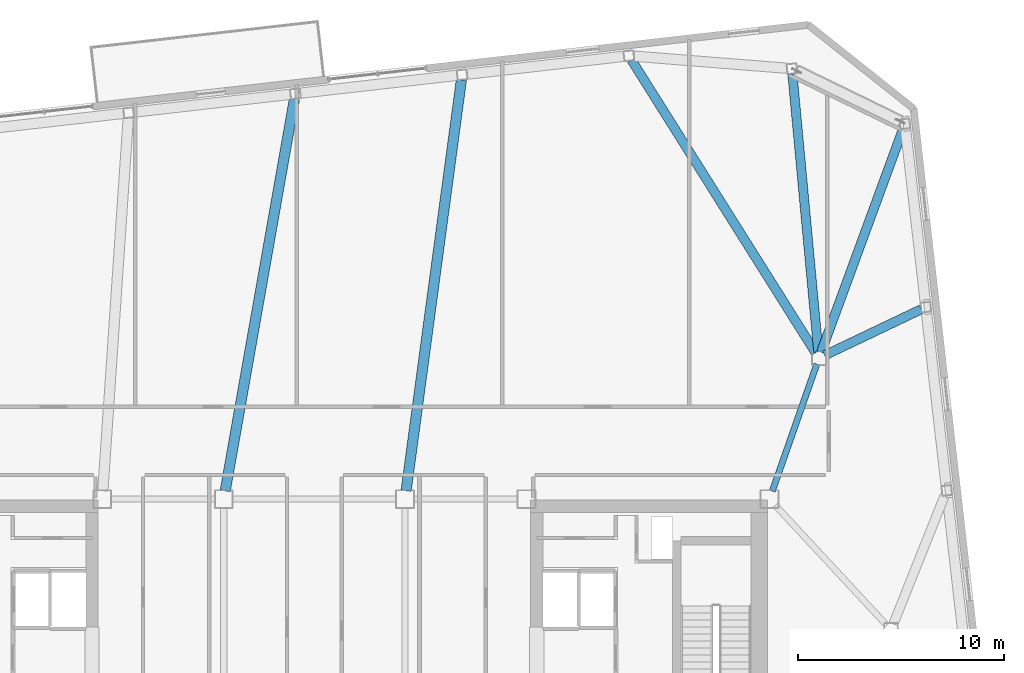
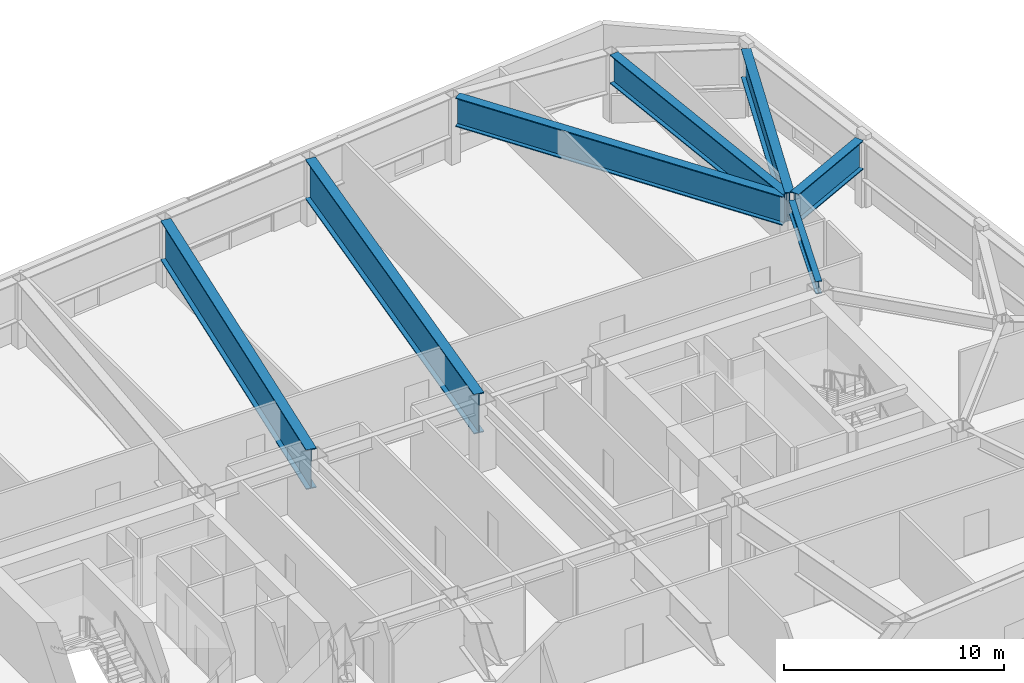
# One storey, part 9 of 20: 7 beams.
"""IFC4 building model written with IfcOpenShell, lengths in metres."""

from ifc_helpers import new_model, si_unit, direction, frame, origin, origin_2d, place, context, subcontext, project, spatial, i_section, extrude, material, material_profile, profile_set, type_object, element, save


model = new_model("IFC4")

# Units and contexts
model_context = context("Model", 3, precision=1e-05, world=origin(), true_north=direction((0.0, 1.0)))
body_context = subcontext(model_context, "Body", "Model", "MODEL_VIEW")
ifc_project = project(units=[si_unit("LENGTHUNIT", "METRE"), si_unit("AREAUNIT", "SQUARE_METRE"), si_unit("VOLUMEUNIT", "CUBIC_METRE"), si_unit("PLANEANGLEUNIT", "RADIAN"), si_unit("MASSUNIT", "GRAM", prefix="KILO")], contexts=[model_context])

# Site, building, storey
site_placement = place(None, origin())
site = spatial("IfcSite", under=ifc_project, at=site_placement, CompositionType="ELEMENT")
building_placement = place(site_placement, origin())
building = spatial("IfcBuilding", under=site, at=building_placement, Name="Tavrogorsk Clinical Tower", CompositionType="ELEMENT")
storey_placement = place(building_placement, frame((0.0, 0.0, 214.199951171875)))
storey = spatial("IfcBuildingStorey", under=building, at=storey_placement, Name="L49", CompositionType="ELEMENT", Elevation=214.199951171875)

# Beams
ifc_material_1 = material(Name="Structural steel S390", Category="steel")
ifc_material_profile_1 = material_profile(ifc_material_1, i_section(OverallWidth=0.300048828125, OverallDepth=0.699951171875, WebThickness=0.01708984375, FlangeThickness=0.028076171875, at=origin_2d()), Name="B-700x300x17x28")
ifc_profile_set_1 = profile_set([ifc_material_profile_1], Name="Structural steel S390")
beam_type_1 = type_object("IfcBeamType", Name="PrimaryGirder_B700", PredefinedType="USERDEFINED", material=ifc_profile_set_1)
beam_1_placement = place(storey_placement, frame((24.3974609375, 12.907470703125, 3.39013671875), z_axis=(-0.33065312634, -0.94375235631, 0.0), x_axis=(0.94375235631, -0.33065312634, 0.0)))
element("IfcBeam", 1, at=beam_1_placement, inside=storey, type_object=beam_type_1, Name="L49 Spine Link Girder OPG-4", ObjectType="GIRDER", PredefinedType="USERDEFINED", context=body_context, shape_type="SweptSolid", body=[
    extrude(i_section(OverallWidth=0.300048828125, OverallDepth=0.699951171875, WebThickness=0.01708984375, FlangeThickness=0.028076171875, at=origin_2d()), origin(), (0.0, 0.0, 1.0), 6.5380859375),
])
ifc_material_2 = material(Name="Structural steel S440", Category="steel")
ifc_material_profile_2 = material_profile(ifc_material_2, i_section(OverallWidth=0.449951171875, OverallDepth=1.60009765625, WebThickness=0.031982421875, FlangeThickness=0.050048828125, at=origin_2d()), Name="DK-1600x450x32x50")
ifc_profile_set_2 = profile_set([ifc_material_profile_2], Name="Structural steel S440")
beam_type_2 = type_object("IfcBeamType", Name="TransferGirder_DK1600", PredefinedType="USERDEFINED", material=ifc_profile_set_2)
beam_2_placement = place(storey_placement, frame((24.47119140625, 13.508544921875, 2.93994140625), z_axis=(-0.092940409745, 0.99567167291, 0.0), x_axis=(-0.99567167291, -0.092940409745, 0.0)))
element("IfcBeam", 2, at=beam_2_placement, inside=storey, type_object=beam_type_2, Name="L49 Radial Floor Beam N1", ObjectType="GIRDER", PredefinedType="USERDEFINED", context=body_context, shape_type="SweptSolid", body=[
    extrude(i_section(OverallWidth=0.449951171875, OverallDepth=1.60009765625, WebThickness=0.031982421875, FlangeThickness=0.050048828125, at=origin_2d()), origin(), (0.0, 0.0, 1.0), 13.546630859375),
])
beam_3_placement = place(storey_placement, frame((24.3349609375, 13.46240234375, 2.93994140625), z_axis=(-0.53234144439, 0.84652973166, 0.0), x_axis=(-0.84652973166, -0.53234144439, 0.0)))
element("IfcBeam", 3, at=beam_3_placement, inside=storey, type_object=beam_type_2, Name="L49 Radial Floor Beam N2", ObjectType="GIRDER", PredefinedType="USERDEFINED", context=body_context, shape_type="SweptSolid", body=[
    extrude(i_section(OverallWidth=0.449951171875, OverallDepth=1.60009765625, WebThickness=0.031982421875, FlangeThickness=0.050048828125, at=origin_2d()), origin(), (0.0, 0.0, 1.0), 16.7734375),
])
beam_4_placement = place(storey_placement, frame((24.77978515625, 13.333251953125, 2.93994140625), z_axis=(0.90270896244, 0.43025170439, 0.0), x_axis=(-0.43025170439, 0.90270896244, 0.0)))
element("IfcBeam", 4, at=beam_4_placement, inside=storey, type_object=beam_type_2, Name="L49 Radial Floor Beam E4", ObjectType="GIRDER", PredefinedType="USERDEFINED", context=body_context, shape_type="SweptSolid", body=[
    extrude(i_section(OverallWidth=0.449951171875, OverallDepth=1.60009765625, WebThickness=0.031982421875, FlangeThickness=0.050048828125, at=origin_2d()), origin(), (0.0, 0.0, 1.0), 5.182861328125),
])
beam_5_placement = place(storey_placement, frame((24.60693359375, 13.490966796875, 2.93994140625), z_axis=(0.34467380093, 0.938722520744, 0.0), x_axis=(-0.938722520744, 0.34467380093, 0.0)))
element("IfcBeam", 5, at=beam_5_placement, inside=storey, type_object=beam_type_2, Name="L49 Radial Floor Beam E5", ObjectType="GIRDER", PredefinedType="USERDEFINED", context=body_context, shape_type="SweptSolid", body=[
    extrude(i_section(OverallWidth=0.449951171875, OverallDepth=1.60009765625, WebThickness=0.031982421875, FlangeThickness=0.050048828125, at=origin_2d()), origin(), (0.0, 0.0, 1.0), 11.55126953125),
])
ifc_material_3 = material(Name="Structural steel S440", Category="steel")
ifc_material_profile_3 = material_profile(ifc_material_3, i_section(OverallWidth=0.5, OverallDepth=2.199951171875, WebThickness=0.035888671875, FlangeThickness=0.054931640625, at=origin_2d()), Name="DK-2200x500x36x55")
ifc_profile_set_3 = profile_set([ifc_material_profile_3], Name="Structural steel S440")
beam_type_3 = type_object("IfcBeamType", Name="TransferGirder_DK2200", PredefinedType="USERDEFINED", material=ifc_profile_set_3)
beam_6_placement = place(storey_placement, frame((4.45458984375, 6.75634765625, 2.64013671875), z_axis=(0.13333250104, 0.991071361793, 0.0), x_axis=(-0.991071361793, 0.13333250104, 0.0)))
element("IfcBeam", 6, at=beam_6_placement, inside=storey, type_object=beam_type_3, Name="L49 Radial Floor Beam N3", ObjectType="GIRDER", PredefinedType="USERDEFINED", context=body_context, shape_type="SweptSolid", body=[
    extrude(i_section(OverallWidth=0.5, OverallDepth=2.199951171875, WebThickness=0.035888671875, FlangeThickness=0.054931640625, at=origin_2d()), origin(), (0.0, 0.0, 1.0), 20.125244140625),
])
beam_7_placement = place(storey_placement, frame((-4.32861328125, 6.753662109375, 2.64013671875), z_axis=(0.173888409009, 0.984765363532, 0.0), x_axis=(-0.984765363532, 0.173888409009, 0.0)))
element("IfcBeam", 7, at=beam_7_placement, inside=storey, type_object=beam_type_3, Name="L49 Radial Floor Beam N4", ObjectType="GIRDER", PredefinedType="USERDEFINED", context=body_context, shape_type="SweptSolid", body=[
    extrude(i_section(OverallWidth=0.5, OverallDepth=2.199951171875, WebThickness=0.035888671875, FlangeThickness=0.054931640625, at=origin_2d()), origin(), (0.0, 0.0, 1.0), 19.322021484375),
])

save(model, "model.ifc")
